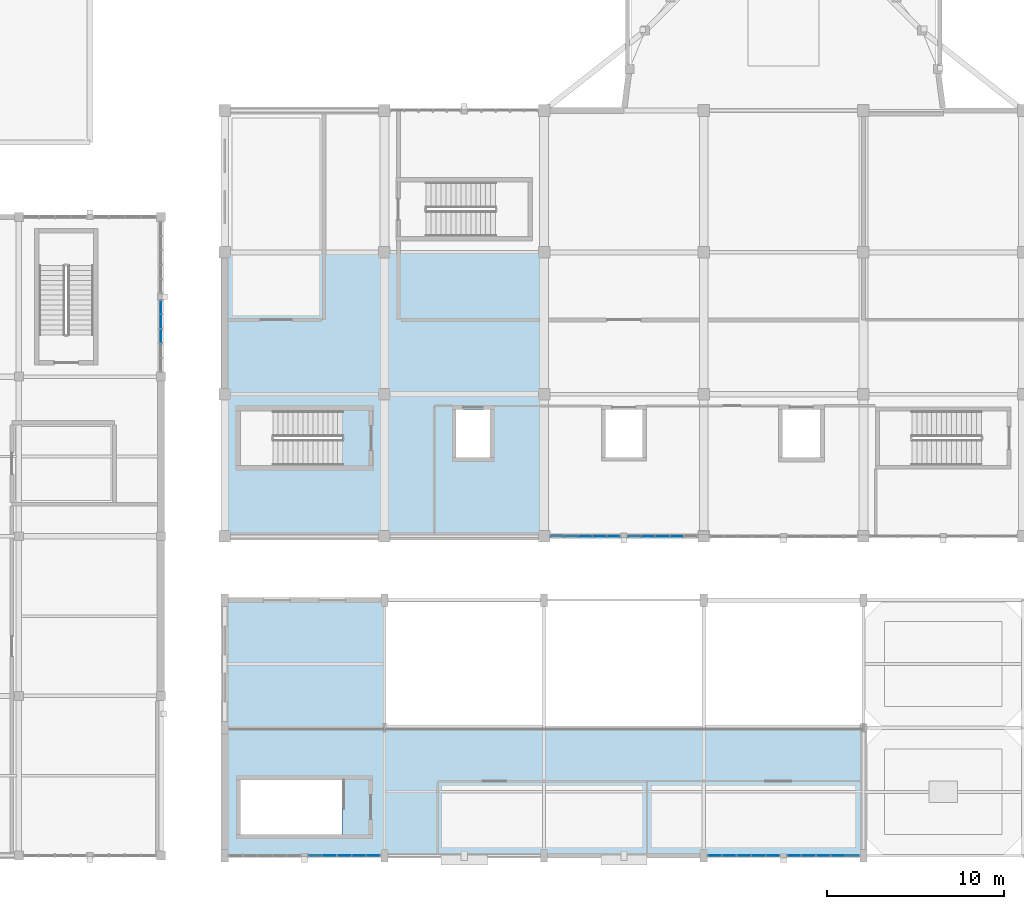
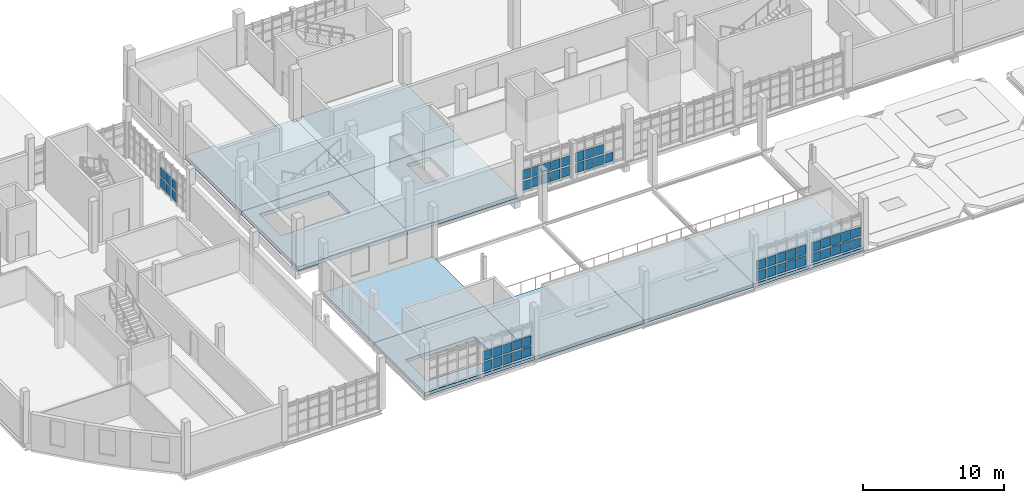
# One storey, part 79 of 125: 53 plates, 9 slabs, 6 elements without a shape of their own.
"""IFC4 building model written with IfcOpenShell, lengths in metres."""

from ifc_helpers import new_model, si_unit, direction, frame, origin, origin_2d, place, context, subcontext, project, spatial, polyline, rectangle, outline, extrude, material, layer, layer_set, type_object, element, aggregate, save


model = new_model("IFC4")

# Units and contexts
model_context = context("Model", 3, precision=1e-05, world=origin(), true_north=direction((0.0, 1.0)))
body_context = subcontext(model_context, "Body", "Model", "MODEL_VIEW")
ifc_project = project(units=[si_unit("LENGTHUNIT", "METRE"), si_unit("AREAUNIT", "SQUARE_METRE"), si_unit("VOLUMEUNIT", "CUBIC_METRE"), si_unit("PLANEANGLEUNIT", "RADIAN"), si_unit("MASSUNIT", "GRAM", prefix="KILO")], contexts=[model_context])

# Site, building, storey
site_placement = place(None, origin())
site = spatial("IfcSite", under=ifc_project, at=site_placement, CompositionType="ELEMENT")
building_placement = place(site_placement, origin())
building = spatial("IfcBuilding", under=site, at=building_placement, Name="Serraforn Aerial Cableway Station", CompositionType="ELEMENT")
storey_placement = place(building_placement, frame((0.0, 0.0, 4.5)))
storey = spatial("IfcBuildingStorey", under=building, at=storey_placement, Name="L01", CompositionType="ELEMENT", Elevation=4.5)

# Curtain wall, plates
ifc_material_1 = material(Name="Anodised bronze unitised curtain wall")
curtain_wall_type_1 = type_object("IfcCurtainWallType", Name="CW-SYS-21", PredefinedType="USERDEFINED", material=ifc_material_1)
curtain_wall_1_placement = place(storey_placement, origin())
curtain_wall_1 = element("IfcCurtainWall", 1, at=curtain_wall_1_placement, inside=storey, type_object=curtain_wall_type_1, Name="Unitised Curtain Wall CW-W-L01-E4A", ObjectType="UNITISED CURTAIN WALL", PredefinedType="USERDEFINED")
ifc_material_2 = material(Name="Solar-control low-E double glazing", Category="glass")
ifc_layer_1 = layer(ifc_material_2, 0.02587890625)
ifc_layer_set_1 = layer_set([ifc_layer_1], Name="Solar-control low-E double glazing")
plate_type_1 = type_object("IfcPlateType", Name="CW-GLZ-1", PredefinedType="CURTAIN_PANEL", material=ifc_layer_set_1)
plate_1_placement = place(storey_placement, frame((24.0, 29.28271484375, 1.11376953125), z_axis=(0.0, 0.0, 1.0), x_axis=(1.0, 0.0, 0.0)))
plate_1 = element("IfcPlate", 2, at=plate_1_placement, type_object=plate_type_1, Name="Curtain Wall Panel CW-W-L01-E4A-P3-2", PredefinedType="CURTAIN_PANEL", context=body_context, shape_type="SweptSolid", body=[
    extrude(rectangle(XDim=0.02587890625, YDim=0.745849609375, at=origin_2d()), origin(), (0.0, 0.0, 1.0), 0.824951171875),
])
plate_2_placement = place(storey_placement, frame((24.0, 30.103515625, 0.177734375), z_axis=(0.0, 0.0, 1.0), x_axis=(1.0, 0.0, 0.0)))
plate_2 = element("IfcPlate", 3, at=plate_2_placement, type_object=plate_type_1, Name="Curtain Wall Panel CW-W-L01-E4A-P4-1", PredefinedType="CURTAIN_PANEL", context=body_context, shape_type="SweptSolid", body=[
    extrude(rectangle(XDim=0.02587890625, YDim=0.75341796875, at=origin_2d()), origin(), (0.0, 0.0, 1.0), 0.824951171875),
])

curtain_wall_type_2 = type_object("IfcCurtainWallType", Name="CW-SYS-26", PredefinedType="USERDEFINED", material=ifc_material_1)
curtain_wall_2_placement = place(storey_placement, origin())
curtain_wall_2 = element("IfcCurtainWall", 4, at=curtain_wall_2_placement, inside=storey, type_object=curtain_wall_type_2, Name="Unitised Curtain Wall CW-CF-L01-S1B", ObjectType="UNITISED CURTAIN WALL", PredefinedType="USERDEFINED")
plate_3_placement = place(storey_placement, frame((33.515380859375, 0.0, 1.12646484375), z_axis=(0.0, 0.0, 1.0), x_axis=(1.0, 0.0, 0.0)))
plate_3 = element("IfcPlate", 5, at=plate_3_placement, type_object=plate_type_1, Name="Curtain Wall Panel CW-CF-L01-S1B-P2-2", PredefinedType="CURTAIN_PANEL", context=body_context, shape_type="SweptSolid", body=[
    extrude(rectangle(XDim=0.77099609375, YDim=0.02587890625, at=origin_2d()), origin(), (0.0, 0.0, 1.0), 0.797607421875),
])
plate_4_placement = place(storey_placement, frame((34.33984375, 0.0, 0.1904296875), z_axis=(0.0, 0.0, 1.0), x_axis=(1.0, 0.0, 0.0)))
plate_4 = element("IfcPlate", 6, at=plate_4_placement, type_object=plate_type_1, Name="Curtain Wall Panel CW-CF-L01-S1B-P3-1", PredefinedType="CURTAIN_PANEL", context=body_context, shape_type="SweptSolid", body=[
    extrude(rectangle(XDim=0.765869140625, YDim=0.02587890625, at=origin_2d()), origin(), (0.0, 0.0, 1.0), 0.797607421875),
])

curtain_wall_type_3 = type_object("IfcCurtainWallType", Name="CW-SYS-27", PredefinedType="USERDEFINED", material=ifc_material_1)
curtain_wall_3_placement = place(storey_placement, origin())
curtain_wall_3 = element("IfcCurtainWall", 7, at=curtain_wall_3_placement, inside=storey, type_object=curtain_wall_type_3, Name="Unitised Curtain Wall CW-CF-L01-S4A", ObjectType="UNITISED CURTAIN WALL", PredefinedType="USERDEFINED")
plate_5_placement = place(storey_placement, frame((55.22265625, 0.0, 1.12646484375), z_axis=(0.0, 0.0, 1.0), x_axis=(1.0, 0.0, 0.0)))
plate_5 = element("IfcPlate", 8, at=plate_5_placement, type_object=plate_type_1, Name="Curtain Wall Panel CW-CF-L01-S4A-P1-2", PredefinedType="CURTAIN_PANEL", context=body_context, shape_type="SweptSolid", body=[
    extrude(rectangle(XDim=0.743408203125, YDim=0.02587890625, at=origin_2d()), origin(), (0.0, 0.0, 1.0), 0.797607421875),
])
plate_6_placement = place(storey_placement, frame((56.033203125, 0.0, 0.1904296875), z_axis=(0.0, 0.0, 1.0), x_axis=(1.0, 0.0, 0.0)))
plate_6 = element("IfcPlate", 9, at=plate_6_placement, type_object=plate_type_1, Name="Curtain Wall Panel CW-CF-L01-S4A-P2-1", PredefinedType="CURTAIN_PANEL", context=body_context, shape_type="SweptSolid", body=[
    extrude(rectangle(XDim=0.765869140625, YDim=0.02587890625, at=origin_2d()), origin(), (0.0, 0.0, 1.0), 0.797607421875),
])

# Curtain wall, plate
curtain_wall_type_4 = type_object("IfcCurtainWallType", Name="CW-SYS-28", PredefinedType="USERDEFINED", material=ifc_material_1)
curtain_wall_4_placement = place(storey_placement, origin())
curtain_wall_4 = element("IfcCurtainWall", 10, at=curtain_wall_4_placement, inside=storey, type_object=curtain_wall_type_4, Name="Unitised Curtain Wall CW-CF-L01-S4B", ObjectType="UNITISED CURTAIN WALL", PredefinedType="USERDEFINED")
plate_7_placement = place(storey_placement, frame((59.7060546875, 0.0, 0.1904296875), z_axis=(0.0, 0.0, 1.0), x_axis=(1.0, 0.0, 0.0)))
plate_7 = element("IfcPlate", 11, at=plate_7_placement, type_object=plate_type_1, Name="Curtain Wall Panel CW-CF-L01-S4B-P1-1", PredefinedType="CURTAIN_PANEL", context=body_context, shape_type="SweptSolid", body=[
    extrude(rectangle(XDim=0.73583984375, YDim=0.02587890625, at=origin_2d()), origin(), (0.0, 0.0, 1.0), 0.797607421875),
])

# Curtain wall, plates
curtain_wall_5_placement = place(storey_placement, origin())
curtain_wall_5 = element("IfcCurtainWall", 12, at=curtain_wall_5_placement, inside=storey, type_object=curtain_wall_type_1, Name="Unitised Curtain Wall CW-CV-L01-S3A", ObjectType="UNITISED CURTAIN WALL", PredefinedType="USERDEFINED")
plate_8_placement = place(storey_placement, frame((47.926513671875, 18.0, 1.118896484375), z_axis=(0.0, 0.0, 1.0), x_axis=(1.0, 0.0, 0.0)))
plate_8 = element("IfcPlate", 13, at=plate_8_placement, type_object=plate_type_1, Name="Curtain Wall Panel CW-CV-L01-S3A-P3-2", PredefinedType="CURTAIN_PANEL", context=body_context, shape_type="SweptSolid", body=[
    extrude(rectangle(XDim=0.73828125, YDim=0.02587890625, at=origin_2d()), origin(), (0.0, 0.0, 1.0), 0.8125),
])
plate_9_placement = place(storey_placement, frame((48.7197265625, 18.0, 0.182861328125), z_axis=(0.0, 0.0, 1.0), x_axis=(1.0, 0.0, 0.0)))
plate_9 = element("IfcPlate", 14, at=plate_9_placement, type_object=plate_type_1, Name="Curtain Wall Panel CW-CV-L01-S3A-P4-1", PredefinedType="CURTAIN_PANEL", context=body_context, shape_type="SweptSolid", body=[
    extrude(rectangle(XDim=0.745849609375, YDim=0.02587890625, at=origin_2d()), origin(), (0.0, 0.0, 1.0), 0.8125),
])

curtain_wall_type_5 = type_object("IfcCurtainWallType", Name="CW-SYS-22", PredefinedType="USERDEFINED", material=ifc_material_1)
curtain_wall_6_placement = place(storey_placement, origin())
curtain_wall_6 = element("IfcCurtainWall", 15, at=curtain_wall_6_placement, inside=storey, type_object=curtain_wall_type_5, Name="Unitised Curtain Wall CW-CV-L01-S3B", ObjectType="UNITISED CURTAIN WALL", PredefinedType="USERDEFINED")
plate_10_placement = place(storey_placement, frame((51.484130859375, 18.0, 1.118896484375), z_axis=(0.0, 0.0, 1.0), x_axis=(1.0, 0.0, 0.0)))
plate_10 = element("IfcPlate", 16, at=plate_10_placement, type_object=plate_type_1, Name="Curtain Wall Panel CW-CV-L01-S3B-P2-2", PredefinedType="CURTAIN_PANEL", context=body_context, shape_type="SweptSolid", body=[
    extrude(rectangle(XDim=0.73828125, YDim=0.02587890625, at=origin_2d()), origin(), (0.0, 0.0, 1.0), 0.8125),
])
plate_11_placement = place(storey_placement, frame((52.27734375, 18.0, 0.182861328125), z_axis=(0.0, 0.0, 1.0), x_axis=(1.0, 0.0, 0.0)))
plate_11 = element("IfcPlate", 17, at=plate_11_placement, type_object=plate_type_1, Name="Curtain Wall Panel CW-CV-L01-S3B-P3-1", PredefinedType="CURTAIN_PANEL", context=body_context, shape_type="SweptSolid", body=[
    extrude(rectangle(XDim=0.745849609375, YDim=0.02587890625, at=origin_2d()), origin(), (0.0, 0.0, 1.0), 0.8125),
])

# Plate
ifc_layer_2 = layer(ifc_material_2, 0.028076171875)
ifc_layer_set_2 = layer_set([ifc_layer_2], Name="Solar-control low-E double glazing")
plate_type_2 = type_object("IfcPlateType", Name="CW-GLZ-2", PredefinedType="CURTAIN_PANEL", material=ifc_layer_set_2)
plate_12_placement = place(storey_placement, frame((24.0, 30.103515625, 1.118896484375), z_axis=(0.0, 0.0, 1.0), x_axis=(1.0, 0.0, 0.0)))
plate_12 = element("IfcPlate", 18, at=plate_12_placement, type_object=plate_type_2, Name="Curtain Wall Panel CW-W-L01-E4A-P4-2", PredefinedType="CURTAIN_PANEL", context=body_context, shape_type="SweptSolid", body=[
    extrude(rectangle(XDim=0.028076171875, YDim=0.75341796875, at=origin_2d()), origin(), (0.0, 0.0, 1.0), 0.8125),
])

plate_13_placement = place(storey_placement, frame((24.0, 30.896484375, 0.182861328125), z_axis=(0.0, 0.0, 1.0), x_axis=(1.0, 0.0, 0.0)))
plate_13 = element("IfcPlate", 19, at=plate_13_placement, type_object=plate_type_2, Name="Curtain Wall Panel CW-W-L01-E4A-P5-1", PredefinedType="CURTAIN_PANEL", context=body_context, shape_type="SweptSolid", body=[
    extrude(rectangle(XDim=0.028076171875, YDim=0.73095703125, at=origin_2d()), origin(), (0.0, 0.0, 1.0), 0.8125),
])

plate_14_placement = place(storey_placement, frame((34.33984375, 0.0, 1.1337890625), z_axis=(0.0, 0.0, 1.0), x_axis=(1.0, 0.0, 0.0)))
plate_14 = element("IfcPlate", 20, at=plate_14_placement, type_object=plate_type_2, Name="Curtain Wall Panel CW-CF-L01-S1B-P3-2", PredefinedType="CURTAIN_PANEL", context=body_context, shape_type="SweptSolid", body=[
    extrude(rectangle(XDim=0.765869140625, YDim=0.028076171875, at=origin_2d()), origin(), (0.0, 0.0, 1.0), 0.782470703125),
])

plate_15_placement = place(storey_placement, frame((35.1640625, 0.0, 0.19775390625), z_axis=(0.0, 0.0, 1.0), x_axis=(1.0, 0.0, 0.0)))
plate_15 = element("IfcPlate", 21, at=plate_15_placement, type_object=plate_type_2, Name="Curtain Wall Panel CW-CF-L01-S1B-P4-1", PredefinedType="CURTAIN_PANEL", context=body_context, shape_type="SweptSolid", body=[
    extrude(rectangle(XDim=0.760986328125, YDim=0.028076171875, at=origin_2d()), origin(), (0.0, 0.0, 1.0), 0.782470703125),
])

plate_16_placement = place(storey_placement, frame((56.033203125, 0.0, 1.1337890625), z_axis=(0.0, 0.0, 1.0), x_axis=(1.0, 0.0, 0.0)))
plate_16 = element("IfcPlate", 22, at=plate_16_placement, type_object=plate_type_2, Name="Curtain Wall Panel CW-CF-L01-S4A-P2-2", PredefinedType="CURTAIN_PANEL", context=body_context, shape_type="SweptSolid", body=[
    extrude(rectangle(XDim=0.765869140625, YDim=0.028076171875, at=origin_2d()), origin(), (0.0, 0.0, 1.0), 0.782470703125),
])

plate_17_placement = place(storey_placement, frame((56.85791015625, 0.0, 0.19775390625), z_axis=(0.0, 0.0, 1.0), x_axis=(1.0, 0.0, 0.0)))
plate_17 = element("IfcPlate", 23, at=plate_17_placement, type_object=plate_type_2, Name="Curtain Wall Panel CW-CF-L01-S4A-P3-1", PredefinedType="CURTAIN_PANEL", context=body_context, shape_type="SweptSolid", body=[
    extrude(rectangle(XDim=0.760986328125, YDim=0.028076171875, at=origin_2d()), origin(), (0.0, 0.0, 1.0), 0.782470703125),
])

plate_18_placement = place(storey_placement, frame((59.7060546875, 0.0, 1.1337890625), z_axis=(0.0, 0.0, 1.0), x_axis=(1.0, 0.0, 0.0)))
plate_18 = element("IfcPlate", 24, at=plate_18_placement, type_object=plate_type_2, Name="Curtain Wall Panel CW-CF-L01-S4B-P1-2", PredefinedType="CURTAIN_PANEL", context=body_context, shape_type="SweptSolid", body=[
    extrude(rectangle(XDim=0.73583984375, YDim=0.028076171875, at=origin_2d()), origin(), (0.0, 0.0, 1.0), 0.782470703125),
])

plate_19_placement = place(storey_placement, frame((60.515380859375, 0.0, 0.19775390625), z_axis=(0.0, 0.0, 1.0), x_axis=(1.0, 0.0, 0.0)))
plate_19 = element("IfcPlate", 25, at=plate_19_placement, type_object=plate_type_2, Name="Curtain Wall Panel CW-CF-L01-S4B-P2-1", PredefinedType="CURTAIN_PANEL", context=body_context, shape_type="SweptSolid", body=[
    extrude(rectangle(XDim=0.760986328125, YDim=0.028076171875, at=origin_2d()), origin(), (0.0, 0.0, 1.0), 0.782470703125),
])

plate_20_placement = place(storey_placement, frame((48.7197265625, 18.0, 1.12646484375), z_axis=(0.0, 0.0, 1.0), x_axis=(1.0, 0.0, 0.0)))
plate_20 = element("IfcPlate", 26, at=plate_20_placement, type_object=plate_type_2, Name="Curtain Wall Panel CW-CV-L01-S3A-P4-2", PredefinedType="CURTAIN_PANEL", context=body_context, shape_type="SweptSolid", body=[
    extrude(rectangle(XDim=0.745849609375, YDim=0.028076171875, at=origin_2d()), origin(), (0.0, 0.0, 1.0), 0.797607421875),
])

plate_21_placement = place(storey_placement, frame((49.502685546875, 18.0, 0.1904296875), z_axis=(0.0, 0.0, 1.0), x_axis=(1.0, 0.0, 0.0)))
plate_21 = element("IfcPlate", 27, at=plate_21_placement, type_object=plate_type_2, Name="Curtain Wall Panel CW-CV-L01-S3A-P5-1", PredefinedType="CURTAIN_PANEL", context=body_context, shape_type="SweptSolid", body=[
    extrude(rectangle(XDim=0.70849609375, YDim=0.028076171875, at=origin_2d()), origin(), (0.0, 0.0, 1.0), 0.797607421875),
])

plate_22_placement = place(storey_placement, frame((52.27734375, 18.0, 1.12646484375), z_axis=(0.0, 0.0, 1.0), x_axis=(1.0, 0.0, 0.0)))
plate_22 = element("IfcPlate", 28, at=plate_22_placement, type_object=plate_type_2, Name="Curtain Wall Panel CW-CV-L01-S3B-P3-2", PredefinedType="CURTAIN_PANEL", context=body_context, shape_type="SweptSolid", body=[
    extrude(rectangle(XDim=0.745849609375, YDim=0.028076171875, at=origin_2d()), origin(), (0.0, 0.0, 1.0), 0.797607421875),
])

plate_23_placement = place(storey_placement, frame((53.07666015625, 18.0, 0.1904296875), z_axis=(0.0, 0.0, 1.0), x_axis=(1.0, 0.0, 0.0)))
plate_23 = element("IfcPlate", 29, at=plate_23_placement, type_object=plate_type_2, Name="Curtain Wall Panel CW-CV-L01-S3B-P4-1", PredefinedType="CURTAIN_PANEL", context=body_context, shape_type="SweptSolid", body=[
    extrude(rectangle(XDim=0.740966796875, YDim=0.028076171875, at=origin_2d()), origin(), (0.0, 0.0, 1.0), 0.797607421875),
])

ifc_layer_3 = layer(ifc_material_2, 0.030029296875)
ifc_layer_set_3 = layer_set([ifc_layer_3], Name="Solar-control low-E double glazing")
plate_type_3 = type_object("IfcPlateType", Name="CW-GLZ-3", PredefinedType="CURTAIN_PANEL", material=ifc_layer_set_3)
plate_24_placement = place(storey_placement, frame((24.0, 30.896484375, 1.12646484375), z_axis=(0.0, 0.0, 1.0), x_axis=(1.0, 0.0, 0.0)))
plate_24 = element("IfcPlate", 30, at=plate_24_placement, type_object=plate_type_3, Name="Curtain Wall Panel CW-W-L01-E4A-P5-2", PredefinedType="CURTAIN_PANEL", context=body_context, shape_type="SweptSolid", body=[
    extrude(rectangle(XDim=0.030029296875, YDim=0.73095703125, at=origin_2d()), origin(), (0.0, 0.0, 1.0), 0.797607421875),
])

plate_25_placement = place(storey_placement, frame((35.1640625, 0.0, 1.14111328125), z_axis=(0.0, 0.0, 1.0), x_axis=(1.0, 0.0, 0.0)))
plate_25 = element("IfcPlate", 31, at=plate_25_placement, type_object=plate_type_3, Name="Curtain Wall Panel CW-CF-L01-S1B-P4-2", PredefinedType="CURTAIN_PANEL", context=body_context, shape_type="SweptSolid", body=[
    extrude(rectangle(XDim=0.760986328125, YDim=0.030029296875, at=origin_2d()), origin(), (0.0, 0.0, 1.0), 0.802490234375),
])

plate_26_placement = place(storey_placement, frame((35.9697265625, 0.0, 0.20556640625), z_axis=(0.0, 0.0, 1.0), x_axis=(1.0, 0.0, 0.0)))
plate_26 = element("IfcPlate", 32, at=plate_26_placement, type_object=plate_type_3, Name="Curtain Wall Panel CW-CF-L01-S1B-P5-1", PredefinedType="CURTAIN_PANEL", context=body_context, shape_type="SweptSolid", body=[
    extrude(rectangle(XDim=0.718505859375, YDim=0.030029296875, at=origin_2d()), origin(), (0.0, 0.0, 1.0), 0.802490234375),
])

plate_27_placement = place(storey_placement, frame((56.85791015625, 0.0, 1.14111328125), z_axis=(0.0, 0.0, 1.0), x_axis=(1.0, 0.0, 0.0)))
plate_27 = element("IfcPlate", 33, at=plate_27_placement, type_object=plate_type_3, Name="Curtain Wall Panel CW-CF-L01-S4A-P3-2", PredefinedType="CURTAIN_PANEL", context=body_context, shape_type="SweptSolid", body=[
    extrude(rectangle(XDim=0.760986328125, YDim=0.030029296875, at=origin_2d()), origin(), (0.0, 0.0, 1.0), 0.802490234375),
])

plate_28_placement = place(storey_placement, frame((57.68212890625, 0.0, 0.20556640625), z_axis=(0.0, 0.0, 1.0), x_axis=(1.0, 0.0, 0.0)))
plate_28 = element("IfcPlate", 34, at=plate_28_placement, type_object=plate_type_3, Name="Curtain Wall Panel CW-CF-L01-S4A-P4-1", PredefinedType="CURTAIN_PANEL", context=body_context, shape_type="SweptSolid", body=[
    extrude(rectangle(XDim=0.755859375, YDim=0.030029296875, at=origin_2d()), origin(), (0.0, 0.0, 1.0), 0.802490234375),
])

plate_29_placement = place(storey_placement, frame((60.515380859375, 0.0, 1.14111328125), z_axis=(0.0, 0.0, 1.0), x_axis=(1.0, 0.0, 0.0)))
plate_29 = element("IfcPlate", 35, at=plate_29_placement, type_object=plate_type_3, Name="Curtain Wall Panel CW-CF-L01-S4B-P2-2", PredefinedType="CURTAIN_PANEL", context=body_context, shape_type="SweptSolid", body=[
    extrude(rectangle(XDim=0.760986328125, YDim=0.030029296875, at=origin_2d()), origin(), (0.0, 0.0, 1.0), 0.802490234375),
])

plate_30_placement = place(storey_placement, frame((61.33984375, 0.0, 0.20556640625), z_axis=(0.0, 0.0, 1.0), x_axis=(1.0, 0.0, 0.0)))
plate_30 = element("IfcPlate", 36, at=plate_30_placement, type_object=plate_type_3, Name="Curtain Wall Panel CW-CF-L01-S4B-P3-1", PredefinedType="CURTAIN_PANEL", context=body_context, shape_type="SweptSolid", body=[
    extrude(rectangle(XDim=0.755859375, YDim=0.030029296875, at=origin_2d()), origin(), (0.0, 0.0, 1.0), 0.802490234375),
])

plate_31_placement = place(storey_placement, frame((49.502685546875, 18.0, 1.1337890625), z_axis=(0.0, 0.0, 1.0), x_axis=(1.0, 0.0, 0.0)))
plate_31 = element("IfcPlate", 37, at=plate_31_placement, type_object=plate_type_3, Name="Curtain Wall Panel CW-CV-L01-S3A-P5-2", PredefinedType="CURTAIN_PANEL", context=body_context, shape_type="SweptSolid", body=[
    extrude(rectangle(XDim=0.70849609375, YDim=0.030029296875, at=origin_2d()), origin(), (0.0, 0.0, 1.0), 0.782470703125),
])

ifc_layer_4 = layer(ifc_material_2, 0.031982421875)
ifc_layer_set_4 = layer_set([ifc_layer_4], Name="Solar-control low-E double glazing")
plate_type_4 = type_object("IfcPlateType", Name="CW-GLZ-4", PredefinedType="CURTAIN_PANEL", material=ifc_layer_set_4)
plate_32_placement = place(storey_placement, frame((35.9697265625, 0.0, 1.11376953125), z_axis=(0.0, 0.0, 1.0), x_axis=(1.0, 0.0, 0.0)))
plate_32 = element("IfcPlate", 38, at=plate_32_placement, type_object=plate_type_4, Name="Curtain Wall Panel CW-CF-L01-S1B-P5-2", PredefinedType="CURTAIN_PANEL", context=body_context, shape_type="SweptSolid", body=[
    extrude(rectangle(XDim=0.718505859375, YDim=0.031982421875, at=origin_2d()), origin(), (0.0, 0.0, 1.0), 0.824951171875),
])

plate_33_placement = place(storey_placement, frame((57.68212890625, 0.0, 1.11376953125), z_axis=(0.0, 0.0, 1.0), x_axis=(1.0, 0.0, 0.0)))
plate_33 = element("IfcPlate", 39, at=plate_33_placement, type_object=plate_type_4, Name="Curtain Wall Panel CW-CF-L01-S4A-P4-2", PredefinedType="CURTAIN_PANEL", context=body_context, shape_type="SweptSolid", body=[
    extrude(rectangle(XDim=0.755859375, YDim=0.031982421875, at=origin_2d()), origin(), (0.0, 0.0, 1.0), 0.824951171875),
])

plate_34_placement = place(storey_placement, frame((58.4990234375, 0.0, 0.177734375), z_axis=(0.0, 0.0, 1.0), x_axis=(1.0, 0.0, 0.0)))
plate_34 = element("IfcPlate", 40, at=plate_34_placement, type_object=plate_type_4, Name="Curtain Wall Panel CW-CF-L01-S4A-P5-1", PredefinedType="CURTAIN_PANEL", context=body_context, shape_type="SweptSolid", body=[
    extrude(rectangle(XDim=0.73583984375, YDim=0.031982421875, at=origin_2d()), origin(), (0.0, 0.0, 1.0), 0.824951171875),
])

plate_35_placement = place(storey_placement, frame((61.33984375, 0.0, 1.11376953125), z_axis=(0.0, 0.0, 1.0), x_axis=(1.0, 0.0, 0.0)))
plate_35 = element("IfcPlate", 41, at=plate_35_placement, type_object=plate_type_4, Name="Curtain Wall Panel CW-CF-L01-S4B-P3-2", PredefinedType="CURTAIN_PANEL", context=body_context, shape_type="SweptSolid", body=[
    extrude(rectangle(XDim=0.755859375, YDim=0.031982421875, at=origin_2d()), origin(), (0.0, 0.0, 1.0), 0.824951171875),
])

plate_36_placement = place(storey_placement, frame((62.17041015625, 0.0, 0.177734375), z_axis=(0.0, 0.0, 1.0), x_axis=(1.0, 0.0, 0.0)))
plate_36 = element("IfcPlate", 42, at=plate_36_placement, type_object=plate_type_4, Name="Curtain Wall Panel CW-CF-L01-S4B-P4-1", PredefinedType="CURTAIN_PANEL", context=body_context, shape_type="SweptSolid", body=[
    extrude(rectangle(XDim=0.763427734375, YDim=0.031982421875, at=origin_2d()), origin(), (0.0, 0.0, 1.0), 0.824951171875),
])

ifc_layer_5 = layer(ifc_material_2, 0.033935546875)
ifc_layer_set_5 = layer_set([ifc_layer_5], Name="Solar-control low-E double glazing")
plate_type_5 = type_object("IfcPlateType", Name="CW-GLZ-5", PredefinedType="CURTAIN_PANEL", material=ifc_layer_set_5)
plate_37_placement = place(storey_placement, frame((58.4990234375, 0.0, 1.118896484375), z_axis=(0.0, 0.0, 1.0), x_axis=(1.0, 0.0, 0.0)))
plate_37 = element("IfcPlate", 43, at=plate_37_placement, type_object=plate_type_5, Name="Curtain Wall Panel CW-CF-L01-S4A-P5-2", PredefinedType="CURTAIN_PANEL", context=body_context, shape_type="SweptSolid", body=[
    extrude(rectangle(XDim=0.73583984375, YDim=0.033935546875, at=origin_2d()), origin(), (0.0, 0.0, 1.0), 0.8125),
])

plate_38_placement = place(storey_placement, frame((62.17041015625, 0.0, 1.118896484375), z_axis=(0.0, 0.0, 1.0), x_axis=(1.0, 0.0, 0.0)))
plate_38 = element("IfcPlate", 44, at=plate_38_placement, type_object=plate_type_5, Name="Curtain Wall Panel CW-CF-L01-S4B-P4-2", PredefinedType="CURTAIN_PANEL", context=body_context, shape_type="SweptSolid", body=[
    extrude(rectangle(XDim=0.763427734375, YDim=0.033935546875, at=origin_2d()), origin(), (0.0, 0.0, 1.0), 0.8125),
])

plate_39_placement = place(storey_placement, frame((62.9736328125, 0.0, 0.182861328125), z_axis=(0.0, 0.0, 1.0), x_axis=(1.0, 0.0, 0.0)))
plate_39 = element("IfcPlate", 45, at=plate_39_placement, type_object=plate_type_5, Name="Curtain Wall Panel CW-CF-L01-S4B-P5-1", PredefinedType="CURTAIN_PANEL", context=body_context, shape_type="SweptSolid", body=[
    extrude(rectangle(XDim=0.740966796875, YDim=0.033935546875, at=origin_2d()), origin(), (0.0, 0.0, 1.0), 0.8125),
])

ifc_layer_6 = layer(ifc_material_2, 0.035888671875)
ifc_layer_set_6 = layer_set([ifc_layer_6], Name="Solar-control low-E double glazing")
plate_type_6 = type_object("IfcPlateType", Name="CW-GLZ-6", PredefinedType="CURTAIN_PANEL", material=ifc_layer_set_6)
plate_40_placement = place(storey_placement, frame((62.9736328125, 0.0, 1.12646484375), z_axis=(0.0, 0.0, 1.0), x_axis=(1.0, 0.0, 0.0)))
plate_40 = element("IfcPlate", 46, at=plate_40_placement, type_object=plate_type_6, Name="Curtain Wall Panel CW-CF-L01-S4B-P5-2", PredefinedType="CURTAIN_PANEL", context=body_context, shape_type="SweptSolid", body=[
    extrude(rectangle(XDim=0.740966796875, YDim=0.035888671875, at=origin_2d()), origin(), (0.0, 0.0, 1.0), 0.797607421875),
])

aggregate(curtain_wall_4, [plate_7, plate_18, plate_19, plate_29, plate_30, plate_35, plate_36, plate_38, plate_39, plate_40])

plate_41_placement = place(storey_placement, frame((46.337646484375, 18.0, 0.19775390625), z_axis=(0.0, 0.0, 1.0), x_axis=(1.0, 0.0, 0.0)))
plate_41 = element("IfcPlate", 47, at=plate_41_placement, type_object=plate_type_6, Name="Curtain Wall Panel CW-CV-L01-S3A-P1-1", PredefinedType="CURTAIN_PANEL", context=body_context, shape_type="SweptSolid", body=[
    extrude(rectangle(XDim=0.703369140625, YDim=0.035888671875, at=origin_2d()), origin(), (0.0, 0.0, 1.0), 0.782470703125),
])

ifc_layer_7 = layer(ifc_material_2, 0.029052734375)
ifc_layer_set_7 = layer_set([ifc_layer_7], Name="Solar-control low-E double glazing")
plate_type_7 = type_object("IfcPlateType", Name="CW-GLZ-7", PredefinedType="CURTAIN_PANEL", material=ifc_layer_set_7)
plate_42_placement = place(storey_placement, frame((32.7158203125, 0.0, 0.177734375), z_axis=(0.0, 0.0, 1.0), x_axis=(1.0, 0.0, 0.0)))
plate_42 = element("IfcPlate", 48, at=plate_42_placement, type_object=plate_type_7, Name="Curtain Wall Panel CW-CF-L01-S1B-P1-1", PredefinedType="CURTAIN_PANEL", context=body_context, shape_type="SweptSolid", body=[
    extrude(rectangle(XDim=0.725830078125, YDim=0.029052734375, at=origin_2d()), origin(), (0.0, 0.0, 1.0), 0.824951171875),
])

plate_43_placement = place(storey_placement, frame((46.337646484375, 18.0, 1.14111328125), z_axis=(0.0, 0.0, 1.0), x_axis=(1.0, 0.0, 0.0)))
plate_43 = element("IfcPlate", 49, at=plate_43_placement, type_object=plate_type_7, Name="Curtain Wall Panel CW-CV-L01-S3A-P1-2", PredefinedType="CURTAIN_PANEL", context=body_context, shape_type="SweptSolid", body=[
    extrude(rectangle(XDim=0.703369140625, YDim=0.029052734375, at=origin_2d()), origin(), (0.0, 0.0, 1.0), 0.802490234375),
])

plate_44_placement = place(storey_placement, frame((47.120849609375, 18.0, 0.20556640625), z_axis=(0.0, 0.0, 1.0), x_axis=(1.0, 0.0, 0.0)))
plate_44 = element("IfcPlate", 50, at=plate_44_placement, type_object=plate_type_7, Name="Curtain Wall Panel CW-CV-L01-S3A-P2-1", PredefinedType="CURTAIN_PANEL", context=body_context, shape_type="SweptSolid", body=[
    extrude(rectangle(XDim=0.73095703125, YDim=0.029052734375, at=origin_2d()), origin(), (0.0, 0.0, 1.0), 0.802490234375),
])

plate_45_placement = place(storey_placement, frame((50.696044921875, 18.0, 0.20556640625), z_axis=(0.0, 0.0, 1.0), x_axis=(1.0, 0.0, 0.0)))
plate_45 = element("IfcPlate", 51, at=plate_45_placement, type_object=plate_type_7, Name="Curtain Wall Panel CW-CV-L01-S3B-P1-1", PredefinedType="CURTAIN_PANEL", context=body_context, shape_type="SweptSolid", body=[
    extrude(rectangle(XDim=0.69580078125, YDim=0.029052734375, at=origin_2d()), origin(), (0.0, 0.0, 1.0), 0.802490234375),
])

ifc_layer_8 = layer(ifc_material_2, 0.031005859375)
ifc_layer_set_8 = layer_set([ifc_layer_8], Name="Solar-control low-E double glazing")
plate_type_8 = type_object("IfcPlateType", Name="CW-GLZ-8", PredefinedType="CURTAIN_PANEL", material=ifc_layer_set_8)
plate_46_placement = place(storey_placement, frame((24.0, 29.28271484375, 0.20556640625), z_axis=(0.0, 0.0, 1.0), x_axis=(1.0, 0.0, 0.0)))
plate_46 = element("IfcPlate", 52, at=plate_46_placement, type_object=plate_type_8, Name="Curtain Wall Panel CW-W-L01-E4A-P3-1", PredefinedType="CURTAIN_PANEL", context=body_context, shape_type="SweptSolid", body=[
    extrude(rectangle(XDim=0.031005859375, YDim=0.745849609375, at=origin_2d()), origin(), (0.0, 0.0, 1.0), 0.802490234375),
])

aggregate(curtain_wall_1, [plate_46, plate_1, plate_2, plate_12, plate_13, plate_24])

plate_47_placement = place(storey_placement, frame((32.7158203125, 0.0, 1.118896484375), z_axis=(0.0, 0.0, 1.0), x_axis=(1.0, 0.0, 0.0)))
plate_47 = element("IfcPlate", 53, at=plate_47_placement, type_object=plate_type_8, Name="Curtain Wall Panel CW-CF-L01-S1B-P1-2", PredefinedType="CURTAIN_PANEL", context=body_context, shape_type="SweptSolid", body=[
    extrude(rectangle(XDim=0.725830078125, YDim=0.031005859375, at=origin_2d()), origin(), (0.0, 0.0, 1.0), 0.8125),
])

plate_48_placement = place(storey_placement, frame((33.515380859375, 0.0, 0.182861328125), z_axis=(0.0, 0.0, 1.0), x_axis=(1.0, 0.0, 0.0)))
plate_48 = element("IfcPlate", 54, at=plate_48_placement, type_object=plate_type_8, Name="Curtain Wall Panel CW-CF-L01-S1B-P2-1", PredefinedType="CURTAIN_PANEL", context=body_context, shape_type="SweptSolid", body=[
    extrude(rectangle(XDim=0.77099609375, YDim=0.031005859375, at=origin_2d()), origin(), (0.0, 0.0, 1.0), 0.8125),
])

aggregate(curtain_wall_2, [plate_42, plate_47, plate_48, plate_3, plate_4, plate_14, plate_15, plate_25, plate_26, plate_32])

plate_49_placement = place(storey_placement, frame((55.22265625, 0.0, 0.182861328125), z_axis=(0.0, 0.0, 1.0), x_axis=(1.0, 0.0, 0.0)))
plate_49 = element("IfcPlate", 55, at=plate_49_placement, type_object=plate_type_8, Name="Curtain Wall Panel CW-CF-L01-S4A-P1-1", PredefinedType="CURTAIN_PANEL", context=body_context, shape_type="SweptSolid", body=[
    extrude(rectangle(XDim=0.743408203125, YDim=0.031005859375, at=origin_2d()), origin(), (0.0, 0.0, 1.0), 0.8125),
])

aggregate(curtain_wall_3, [plate_49, plate_5, plate_6, plate_16, plate_17, plate_27, plate_28, plate_33, plate_34, plate_37])

plate_50_placement = place(storey_placement, frame((47.120849609375, 18.0, 1.11376953125), z_axis=(0.0, 0.0, 1.0), x_axis=(1.0, 0.0, 0.0)))
plate_50 = element("IfcPlate", 56, at=plate_50_placement, type_object=plate_type_8, Name="Curtain Wall Panel CW-CV-L01-S3A-P2-2", PredefinedType="CURTAIN_PANEL", context=body_context, shape_type="SweptSolid", body=[
    extrude(rectangle(XDim=0.73095703125, YDim=0.031005859375, at=origin_2d()), origin(), (0.0, 0.0, 1.0), 0.824951171875),
])

plate_51_placement = place(storey_placement, frame((47.926513671875, 18.0, 0.177734375), z_axis=(0.0, 0.0, 1.0), x_axis=(1.0, 0.0, 0.0)))
plate_51 = element("IfcPlate", 57, at=plate_51_placement, type_object=plate_type_8, Name="Curtain Wall Panel CW-CV-L01-S3A-P3-1", PredefinedType="CURTAIN_PANEL", context=body_context, shape_type="SweptSolid", body=[
    extrude(rectangle(XDim=0.73828125, YDim=0.031005859375, at=origin_2d()), origin(), (0.0, 0.0, 1.0), 0.824951171875),
])

aggregate(curtain_wall_5, [plate_41, plate_43, plate_44, plate_50, plate_51, plate_8, plate_9, plate_20, plate_21, plate_31])

plate_52_placement = place(storey_placement, frame((50.696044921875, 18.0, 1.11376953125), z_axis=(0.0, 0.0, 1.0), x_axis=(1.0, 0.0, 0.0)))
plate_52 = element("IfcPlate", 58, at=plate_52_placement, type_object=plate_type_8, Name="Curtain Wall Panel CW-CV-L01-S3B-P1-2", PredefinedType="CURTAIN_PANEL", context=body_context, shape_type="SweptSolid", body=[
    extrude(rectangle(XDim=0.69580078125, YDim=0.031005859375, at=origin_2d()), origin(), (0.0, 0.0, 1.0), 0.824951171875),
])

plate_53_placement = place(storey_placement, frame((51.484130859375, 18.0, 0.177734375), z_axis=(0.0, 0.0, 1.0), x_axis=(1.0, 0.0, 0.0)))
plate_53 = element("IfcPlate", 59, at=plate_53_placement, type_object=plate_type_8, Name="Curtain Wall Panel CW-CV-L01-S3B-P2-1", PredefinedType="CURTAIN_PANEL", context=body_context, shape_type="SweptSolid", body=[
    extrude(rectangle(XDim=0.73828125, YDim=0.031005859375, at=origin_2d()), origin(), (0.0, 0.0, 1.0), 0.824951171875),
])

aggregate(curtain_wall_6, [plate_45, plate_52, plate_53, plate_10, plate_11, plate_22, plate_23])

# Slabs
ifc_material_3 = material(Name="Concrete C35/45", Category="concrete")
ifc_layer_9 = layer(ifc_material_3, 0.27490234375)
ifc_layer_set_9 = layer_set([ifc_layer_9], Name="Concrete C35/45")
slab_type_1 = type_object("IfcSlabType", Name="SLB-FLR-275", PredefinedType="FLOOR", material=ifc_layer_set_9)
slab_1_placement = place(storey_placement, frame((0.0, 0.0, -0.27490234375)))
element("IfcSlab", 60, at=slab_1_placement, inside=storey, type_object=slab_type_1, Name="Floor Slab CF-L01-1-1", PredefinedType="FLOOR", context=body_context, shape_type="SweptSolid", body=[
    extrude(outline(polyline([(27.60009765625, 0.0), (36.60009765625, 0.0), (36.60009765625, 7.199951171875), (27.60009765625, 7.199951171875), (27.60009765625, 0.0)]), holes=[polyline([(34.199951171875, 4.260009765625), (28.5, 4.260009765625), (28.5, 1.199951171875), (34.199951171875, 1.199951171875), (34.199951171875, 4.260009765625)])]), origin(), (0.0, 0.0, 1.0), 0.27490234375),
])
slab_2_placement = place(storey_placement, frame((0.0, 0.0, -0.27490234375)))
element("IfcSlab", 61, at=slab_2_placement, inside=storey, type_object=slab_type_1, Name="Floor Slab CF-L01-1-2", PredefinedType="FLOOR", context=body_context, shape_type="SweptSolid", body=[
    extrude(outline(polyline([(27.60009765625, 7.199951171875), (36.60009765625, 7.199951171875), (36.60009765625, 14.39990234375), (27.60009765625, 14.39990234375), (27.60009765625, 7.199951171875)])), origin(), (0.0, 0.0, 1.0), 0.27490234375),
])
slab_3_placement = place(storey_placement, frame((0.0, 0.0, -0.27490234375)))
element("IfcSlab", 62, at=slab_3_placement, inside=storey, type_object=slab_type_1, Name="Floor Slab CF-L01-2-1", PredefinedType="FLOOR", context=body_context, shape_type="SweptSolid", body=[
    extrude(outline(polyline([(36.60009765625, 0.0), (45.60009765625, 0.0), (45.60009765625, 7.199951171875), (36.60009765625, 7.199951171875), (36.60009765625, 0.0)])), origin(), (0.0, 0.0, 1.0), 0.27490234375),
])
slab_4_placement = place(storey_placement, frame((0.0, 0.0, -0.27490234375)))
element("IfcSlab", 63, at=slab_4_placement, inside=storey, type_object=slab_type_1, Name="Floor Slab CF-L01-3-1", PredefinedType="FLOOR", context=body_context, shape_type="SweptSolid", body=[
    extrude(outline(polyline([(45.60009765625, 0.0), (54.60009765625, 0.0), (54.60009765625, 7.199951171875), (45.60009765625, 7.199951171875), (45.60009765625, 0.0)])), origin(), (0.0, 0.0, 1.0), 0.27490234375),
])
slab_5_placement = place(storey_placement, frame((0.0, 0.0, -0.27490234375)))
element("IfcSlab", 64, at=slab_5_placement, inside=storey, type_object=slab_type_1, Name="Floor Slab CF-L01-4-1", PredefinedType="FLOOR", context=body_context, shape_type="SweptSolid", body=[
    extrude(outline(polyline([(54.60009765625, 0.0), (63.60009765625, 0.0), (63.60009765625, 7.199951171875), (54.60009765625, 7.199951171875), (54.60009765625, 0.0)])), origin(), (0.0, 0.0, 1.0), 0.27490234375),
])
ifc_layer_10 = layer(ifc_material_3, 0.31494140625)
ifc_layer_set_10 = layer_set([ifc_layer_10], Name="Concrete C35/45")
slab_type_2 = type_object("IfcSlabType", Name="SLB-FLR-315", PredefinedType="FLOOR", material=ifc_layer_set_10)
slab_6_placement = place(storey_placement, frame((0.0, 0.0, -0.31494140625)))
element("IfcSlab", 65, at=slab_6_placement, inside=storey, type_object=slab_type_2, Name="Floor Slab CV-L01-1-1", PredefinedType="FLOOR", context=body_context, shape_type="SweptSolid", body=[
    extrude(outline(polyline([(27.60009765625, 18.0), (36.60009765625, 18.0), (36.60009765625, 26.0), (27.60009765625, 26.0), (27.60009765625, 18.0)]), holes=[polyline([(34.199951171875, 25.06005859375), (28.5, 25.06005859375), (28.5, 22.0), (34.199951171875, 22.0), (34.199951171875, 25.06005859375)])]), origin(), (0.0, 0.0, 1.0), 0.31494140625),
])
slab_7_placement = place(storey_placement, frame((0.0, 0.0, -0.31494140625)))
element("IfcSlab", 66, at=slab_7_placement, inside=storey, type_object=slab_type_2, Name="Floor Slab CV-L01-1-2", PredefinedType="FLOOR", context=body_context, shape_type="SweptSolid", body=[
    extrude(outline(polyline([(27.60009765625, 26.0), (36.60009765625, 26.0), (36.60009765625, 34.0), (27.60009765625, 34.0), (27.60009765625, 26.0)])), origin(), (0.0, 0.0, 1.0), 0.31494140625),
])
slab_8_placement = place(storey_placement, frame((0.0, 0.0, -0.31494140625)))
element("IfcSlab", 67, at=slab_8_placement, inside=storey, type_object=slab_type_2, Name="Floor Slab CV-L01-2-1", PredefinedType="FLOOR", context=body_context, shape_type="SweptSolid", body=[
    extrude(outline(polyline([(36.60009765625, 18.0), (45.60009765625, 18.0), (45.60009765625, 26.0), (36.60009765625, 26.0), (36.60009765625, 18.0)]), holes=[polyline([(40.64990234375, 22.449951171875), (42.550048828125, 22.449951171875), (42.550048828125, 25.14990234375), (40.64990234375, 25.14990234375), (40.64990234375, 22.449951171875)])]), origin(), (0.0, 0.0, 1.0), 0.31494140625),
])
slab_9_placement = place(storey_placement, frame((0.0, 0.0, -0.31494140625)))
element("IfcSlab", 68, at=slab_9_placement, inside=storey, type_object=slab_type_2, Name="Floor Slab CV-L01-2-2", PredefinedType="FLOOR", context=body_context, shape_type="SweptSolid", body=[
    extrude(outline(polyline([(36.60009765625, 26.0), (45.60009765625, 26.0), (45.60009765625, 34.0), (36.60009765625, 34.0), (36.60009765625, 26.0)])), origin(), (0.0, 0.0, 1.0), 0.31494140625),
])

save(model, "model.ifc")
